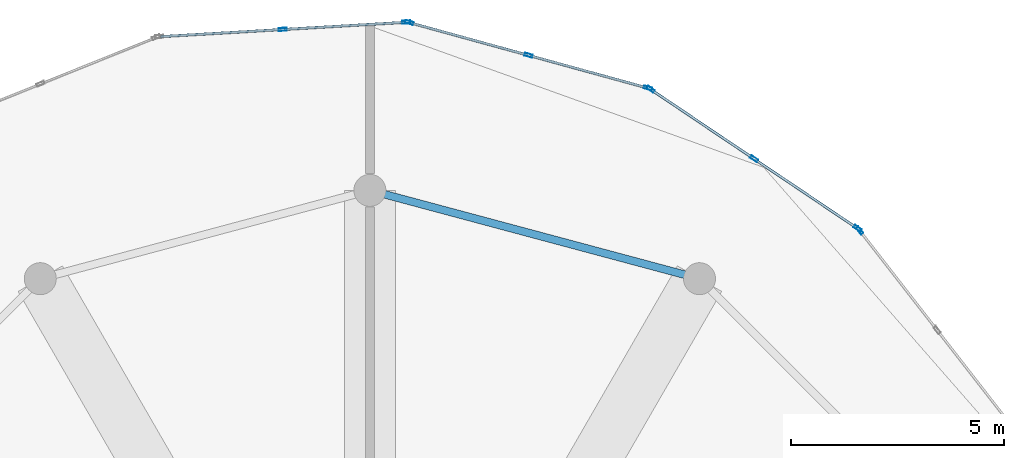
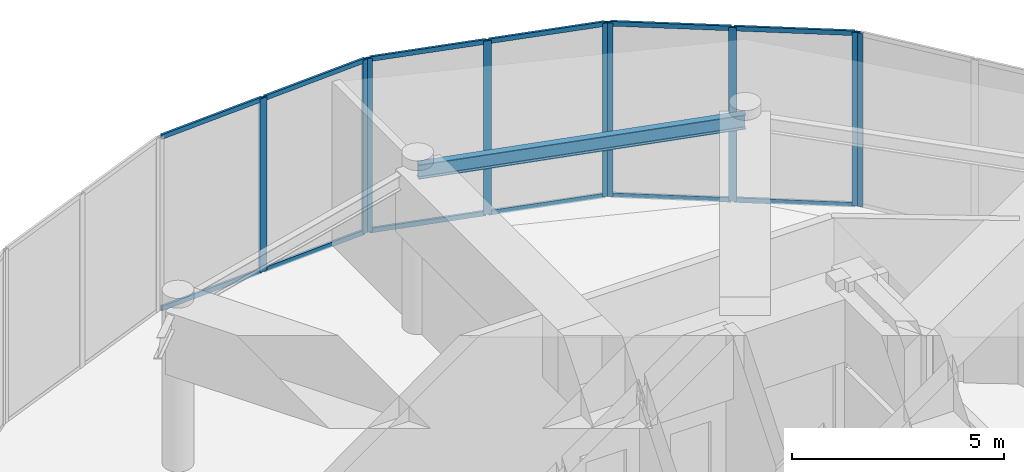
# One storey, part 15 of 20: 21 members, 1 beam, 4 elements without a shape of their own.
"""IFC4 building model written with IfcOpenShell, lengths in metres."""

from ifc_helpers import new_model, si_unit, direction, frame, origin, origin_2d, place, context, subcontext, project, spatial, hollow_rectangle, i_section, extrude, source, transform, mapped, material, layer, layer_set, material_profile, profile_set, type_object, element, aggregate, save


model = new_model("IFC4")

# Units and contexts
model_context = context("Model", 3, precision=1e-05, world=origin(), true_north=direction((0.0, 1.0)))
body_context = subcontext(model_context, "Body", "Model", "MODEL_VIEW")
ifc_project = project(units=[si_unit("LENGTHUNIT", "METRE"), si_unit("AREAUNIT", "SQUARE_METRE"), si_unit("VOLUMEUNIT", "CUBIC_METRE"), si_unit("PLANEANGLEUNIT", "RADIAN"), si_unit("MASSUNIT", "GRAM", prefix="KILO")], contexts=[model_context])

# Site, building, storey
site_placement = place(None, origin())
site = spatial("IfcSite", under=ifc_project, at=site_placement, CompositionType="ELEMENT")
building_placement = place(site_placement, origin())
building = spatial("IfcBuilding", under=site, at=building_placement, Name="Solvirekh Grand Hotel", CompositionType="ELEMENT")
storey_placement = place(building_placement, frame((0.0, 0.0, 297.199951171875)))
storey = spatial("IfcBuildingStorey", under=building, at=storey_placement, Name="L77", CompositionType="ELEMENT", Elevation=297.199951171875)

# Beam
ifc_material_1 = material(Name="Steel S355", Category="steel")
ifc_material_profile_1 = material_profile(ifc_material_1, i_section(OverallWidth=0.180908203125, OverallDepth=0.4169921875, WebThickness=0.010009765625, FlangeThickness=0.01611328125, FilletRadius=0.011962890625, at=origin_2d()), Name="W410X85")
ifc_profile_set_1 = profile_set([ifc_material_profile_1], Name="Steel S355")
beam_type = type_object("IfcBeamType", Name="Spandrel_Ring_W410", PredefinedType="SPANDREL", material=ifc_profile_set_1)
beam_placement = place(storey_placement, frame((7.72509765625, 13.3798828125, 4.470947265625), z_axis=(-0.965921616143, 0.258834757072, 0.0), x_axis=(-0.258834757072, -0.965921616143, 0.0)))
element("IfcBeam", 1, at=beam_placement, inside=storey, type_object=beam_type, Name="L77 perimeter spandrel beam 3", PredefinedType="SPANDREL", context=body_context, shape_type="SweptSolid", body=[
    extrude(i_section(OverallWidth=0.180908203125, OverallDepth=0.4169921875, WebThickness=0.010009765625, FlangeThickness=0.01611328125, FilletRadius=0.011962890625, at=origin_2d()), origin(), (0.0, 0.0, 1.0), 7.99755859375),
])

# Curtain wall, members
ifc_material_2 = material(Name="Anodized Bronze Aluminium 6063-T6", Category="aluminium")
ifc_layer = layer(ifc_material_2, 0.18994140625)
ifc_layer_set = layer_set([ifc_layer], Name="Anodized Bronze Aluminium 6063-T6")
curtain_wall_type = type_object("IfcCurtainWallType", Name="CW_Sys5_SkyLobbyPanoramaCW", PredefinedType="NOTDEFINED", material=ifc_layer_set)
curtain_wall_1_placement = place(storey_placement, origin())
curtain_wall_1 = element("IfcCurtainWall", 2, at=curtain_wall_1_placement, inside=storey, type_object=curtain_wall_type, Name="L77 unitised bronze-glass curtain wall CW-L77-C11", PredefinedType="NOTDEFINED")
ifc_material_profile_2 = material_profile(ifc_material_2, hollow_rectangle(XDim=0.06005859375, YDim=0.135009765625, WallThickness=0.00390625, at=origin_2d()), Name="ALU RHS 135X60X4")
ifc_profile_set_2 = profile_set([ifc_material_profile_2], Name="Anodized Bronze Aluminium 6063-T6")
member_type_1 = type_object("IfcMemberType", Name="CWTransom_Sys5", PredefinedType="USERDEFINED", material=ifc_profile_set_2)
shared_shape_1 = source(origin(), body_context, "Body", "SweptSolid", [
    extrude(hollow_rectangle(XDim=0.06005859375, YDim=0.135009765625, WallThickness=0.00390625, at=origin_2d()), origin(), (0.0, 0.0, 1.0), 2.8310546875),
])
member_1_placement = place(storey_placement, frame((0.818115234375, 19.388916015625, 0.030029296875), z_axis=(-0.998294239729, -0.058383310323, 0.0), x_axis=(0.058383310323, -0.998294239729, 0.0)))
member_1 = element("IfcMember", 3, at=member_1_placement, type_object=member_type_1, Name="U05 transom 1.1", ObjectType="TRANSOM", PredefinedType="USERDEFINED", context=body_context, shape_type="MappedRepresentation", body=[
    mapped(shared_shape_1, transform((0.0, 0.0, 0.0), x_axis=(1.0, 0.0, 0.0), y_axis=(0.0, 1.0, 0.0), z_axis=(0.0, 0.0, 1.0), scale=1.0)),
])
member_2_placement = place(storey_placement, frame((0.818115234375, 19.388916015625, 4.969970703125), z_axis=(-0.998294239729, -0.058383310323, 0.0), x_axis=(0.058383310323, -0.998294239729, 0.0)))
member_2 = element("IfcMember", 4, at=member_2_placement, type_object=member_type_1, Name="U05 transom 1.2", ObjectType="TRANSOM", PredefinedType="USERDEFINED", context=body_context, shape_type="MappedRepresentation", body=[
    mapped(shared_shape_1, transform((0.0, 0.0, 0.0), x_axis=(1.0, 0.0, 0.0), y_axis=(0.0, 1.0, 0.0), z_axis=(0.0, 0.0, 1.0), scale=1.0)),
])
member_3_placement = place(storey_placement, frame((-2.077880859375, 19.219482421875, 0.030029296875), z_axis=(-0.998294239729, -0.058383310323, 0.0), x_axis=(0.058383310323, -0.998294239729, 0.0)))
member_3 = element("IfcMember", 5, at=member_3_placement, type_object=member_type_1, Name="U05 transom 2.1", ObjectType="TRANSOM", PredefinedType="USERDEFINED", context=body_context, shape_type="MappedRepresentation", body=[
    mapped(shared_shape_1, transform((0.0, 0.0, 0.0), x_axis=(1.0, 0.0, 0.0), y_axis=(0.0, 1.0, 0.0), z_axis=(0.0, 0.0, 1.0), scale=1.0)),
])
member_4_placement = place(storey_placement, frame((-2.077880859375, 19.219482421875, 4.969970703125), z_axis=(-0.998294239729, -0.058383310323, 0.0), x_axis=(0.058383310323, -0.998294239729, 0.0)))
member_4 = element("IfcMember", 6, at=member_4_placement, type_object=member_type_1, Name="U05 transom 2.2", ObjectType="TRANSOM", PredefinedType="USERDEFINED", context=body_context, shape_type="MappedRepresentation", body=[
    mapped(shared_shape_1, transform((0.0, 0.0, 0.0), x_axis=(1.0, 0.0, 0.0), y_axis=(0.0, 1.0, 0.0), z_axis=(0.0, 0.0, 1.0), scale=1.0)),
])

# Curtain wall, member
curtain_wall_2_placement = place(storey_placement, origin())
curtain_wall_2 = element("IfcCurtainWall", 7, at=curtain_wall_2_placement, inside=storey, type_object=curtain_wall_type, Name="L77 unitised bronze-glass curtain wall CW-L77-C08", PredefinedType="NOTDEFINED")
ifc_material_profile_3 = material_profile(ifc_material_2, hollow_rectangle(XDim=0.070068359375, YDim=0.18994140625, WallThickness=0.0048828125, at=origin_2d()), Name="ALU RHS 190X70X5")
ifc_profile_set_3 = profile_set([ifc_material_profile_3], Name="Anodized Bronze Aluminium 6063-T6")
member_type_2 = type_object("IfcMemberType", Name="CWMullion_Sys5", PredefinedType="MULLION", material=ifc_profile_set_3)
shared_shape_2 = source(origin(), body_context, "Body", "SweptSolid", [
    extrude(hollow_rectangle(XDim=0.070068359375, YDim=0.18994140625, WallThickness=0.0048828125, at=origin_2d()), origin(), (0.0, 0.0, 1.0), 5.0),
])
member_5_placement = place(storey_placement, frame((11.4814453125, 14.50927734375, 0.0), z_axis=(0.0, 0.0, 1.0), x_axis=(-0.789370212192, -0.613917476624, 0.0)))
member_5 = element("IfcMember", 8, at=member_5_placement, type_object=member_type_2, Name="U05 mullion 3", PredefinedType="MULLION", context=body_context, shape_type="MappedRepresentation", body=[
    mapped(shared_shape_2, transform((0.0, 0.0, 0.0), x_axis=(1.0, 0.0, 0.0), y_axis=(0.0, 1.0, 0.0), z_axis=(0.0, 0.0, 1.0), scale=1.0)),
])
aggregate(curtain_wall_2, [member_5])

# Curtain wall, members
curtain_wall_3_placement = place(storey_placement, origin())
curtain_wall_3 = element("IfcCurtainWall", 9, at=curtain_wall_3_placement, inside=storey, type_object=curtain_wall_type, Name="L77 unitised bronze-glass curtain wall CW-L77-C09", PredefinedType="NOTDEFINED")
member_6_placement = place(storey_placement, frame((11.430908203125, 14.556640625, 0.0), z_axis=(0.0, 0.0, 1.0), x_axis=(-0.558011639084, -0.829833122168, 0.0)))
member_6 = element("IfcMember", 10, at=member_6_placement, type_object=member_type_2, Name="U05 mullion 1", PredefinedType="MULLION", context=body_context, shape_type="MappedRepresentation", body=[
    mapped(shared_shape_2, transform((0.0, 0.0, 0.0), x_axis=(1.0, 0.0, 0.0), y_axis=(0.0, 1.0, 0.0), z_axis=(0.0, 0.0, 1.0), scale=1.0)),
])
member_7_placement = place(storey_placement, frame((9.005615234375, 16.1875, 0.0), z_axis=(0.0, 0.0, 1.0), x_axis=(-0.558011639084, -0.829833122168, 0.0)))
member_7 = element("IfcMember", 11, at=member_7_placement, type_object=member_type_2, Name="U05 mullion 2", PredefinedType="MULLION", context=body_context, shape_type="MappedRepresentation", body=[
    mapped(shared_shape_2, transform((0.0, 0.0, 0.0), x_axis=(1.0, 0.0, 0.0), y_axis=(0.0, 1.0, 0.0), z_axis=(0.0, 0.0, 1.0), scale=1.0)),
])
member_8_placement = place(storey_placement, frame((6.580078125, 17.818359375, 0.0), z_axis=(0.0, 0.0, 1.0), x_axis=(-0.558011639084, -0.829833122168, 0.0)))
member_8 = element("IfcMember", 12, at=member_8_placement, type_object=member_type_2, Name="U05 mullion 3", PredefinedType="MULLION", context=body_context, shape_type="MappedRepresentation", body=[
    mapped(shared_shape_2, transform((0.0, 0.0, 0.0), x_axis=(1.0, 0.0, 0.0), y_axis=(0.0, 1.0, 0.0), z_axis=(0.0, 0.0, 1.0), scale=1.0)),
])

curtain_wall_4_placement = place(storey_placement, origin())
curtain_wall_4 = element("IfcCurtainWall", 13, at=curtain_wall_4_placement, inside=storey, type_object=curtain_wall_type, Name="L77 unitised bronze-glass curtain wall CW-L77-C10", PredefinedType="NOTDEFINED")
member_9_placement = place(storey_placement, frame((6.517333984375, 17.84716796875, 0.0), z_axis=(0.0, 0.0, 1.0), x_axis=(-0.264788393532, -0.964306541848, 0.0)))
member_9 = element("IfcMember", 14, at=member_9_placement, type_object=member_type_2, Name="U05 mullion 1", PredefinedType="MULLION", context=body_context, shape_type="MappedRepresentation", body=[
    mapped(shared_shape_2, transform((0.0, 0.0, 0.0), x_axis=(1.0, 0.0, 0.0), y_axis=(0.0, 1.0, 0.0), z_axis=(0.0, 0.0, 1.0), scale=1.0)),
])
member_10_placement = place(storey_placement, frame((3.719482421875, 18.615478515625, 0.0), z_axis=(0.0, 0.0, 1.0), x_axis=(-0.264788393532, -0.964306541848, 0.0)))
member_10 = element("IfcMember", 15, at=member_10_placement, type_object=member_type_2, Name="U05 mullion 2", PredefinedType="MULLION", context=body_context, shape_type="MappedRepresentation", body=[
    mapped(shared_shape_2, transform((0.0, 0.0, 0.0), x_axis=(1.0, 0.0, 0.0), y_axis=(0.0, 1.0, 0.0), z_axis=(0.0, 0.0, 1.0), scale=1.0)),
])
member_11_placement = place(storey_placement, frame((0.921630859375, 19.3837890625, 0.0), z_axis=(0.0, 0.0, 1.0), x_axis=(-0.264788393532, -0.964306541848, 0.0)))
member_11 = element("IfcMember", 16, at=member_11_placement, type_object=member_type_2, Name="U05 mullion 3", PredefinedType="MULLION", context=body_context, shape_type="MappedRepresentation", body=[
    mapped(shared_shape_2, transform((0.0, 0.0, 0.0), x_axis=(1.0, 0.0, 0.0), y_axis=(0.0, 1.0, 0.0), z_axis=(0.0, 0.0, 1.0), scale=1.0)),
])

# Member
member_12_placement = place(storey_placement, frame((0.85302734375, 19.390869140625, 0.0), z_axis=(0.0, 0.0, 1.0), x_axis=(0.058412544796, -0.998292529578, 0.0)))
member_12 = element("IfcMember", 17, at=member_12_placement, type_object=member_type_2, Name="U05 mullion 1", PredefinedType="MULLION", context=body_context, shape_type="MappedRepresentation", body=[
    mapped(shared_shape_2, transform((0.0, 0.0, 0.0), x_axis=(1.0, 0.0, 0.0), y_axis=(0.0, 1.0, 0.0), z_axis=(0.0, 0.0, 1.0), scale=1.0)),
])

member_13_placement = place(storey_placement, frame((-2.04296875, 19.221435546875, 0.0), z_axis=(0.0, 0.0, 1.0), x_axis=(0.058412544796, -0.998292529578, 0.0)))
member_13 = element("IfcMember", 18, at=member_13_placement, type_object=member_type_2, Name="U05 mullion 2", PredefinedType="MULLION", context=body_context, shape_type="MappedRepresentation", body=[
    mapped(shared_shape_2, transform((0.0, 0.0, 0.0), x_axis=(1.0, 0.0, 0.0), y_axis=(0.0, 1.0, 0.0), z_axis=(0.0, 0.0, 1.0), scale=1.0)),
])

aggregate(curtain_wall_1, [member_12, member_13, member_1, member_2, member_3, member_4])

shared_shape_3 = source(origin(), body_context, "Body", "SweptSolid", [
    extrude(hollow_rectangle(XDim=0.06005859375, YDim=0.135009765625, WallThickness=0.00390625, at=origin_2d()), origin(), (0.0, 0.0, 1.0), 2.852783203125),
])
member_14_placement = place(storey_placement, frame((11.40185546875, 14.576171875, 0.030029296875), z_axis=(-0.829858283275, 0.557974219548, 0.0), x_axis=(-0.557974219548, -0.829858283275, 0.0)))
member_14 = element("IfcMember", 19, at=member_14_placement, type_object=member_type_1, Name="U05 transom 1.1", ObjectType="TRANSOM", PredefinedType="USERDEFINED", context=body_context, shape_type="MappedRepresentation", body=[
    mapped(shared_shape_3, transform((0.0, 0.0, 0.0), x_axis=(1.0, 0.0, 0.0), y_axis=(0.0, 1.0, 0.0), z_axis=(0.0, 0.0, 1.0), scale=1.0)),
])

member_15_placement = place(storey_placement, frame((11.40185546875, 14.576171875, 4.969970703125), z_axis=(-0.829858283275, 0.557974219548, 0.0), x_axis=(-0.557974219548, -0.829858283275, 0.0)))
member_15 = element("IfcMember", 20, at=member_15_placement, type_object=member_type_1, Name="U05 transom 1.2", ObjectType="TRANSOM", PredefinedType="USERDEFINED", context=body_context, shape_type="MappedRepresentation", body=[
    mapped(shared_shape_3, transform((0.0, 0.0, 0.0), x_axis=(1.0, 0.0, 0.0), y_axis=(0.0, 1.0, 0.0), z_axis=(0.0, 0.0, 1.0), scale=1.0)),
])

member_16_placement = place(storey_placement, frame((8.9765625, 16.20703125, 0.030029296875), z_axis=(-0.829858283275, 0.557974219548, 0.0), x_axis=(-0.557974219548, -0.829858283275, 0.0)))
member_16 = element("IfcMember", 21, at=member_16_placement, type_object=member_type_1, Name="U05 transom 2.1", ObjectType="TRANSOM", PredefinedType="USERDEFINED", context=body_context, shape_type="MappedRepresentation", body=[
    mapped(shared_shape_3, transform((0.0, 0.0, 0.0), x_axis=(1.0, 0.0, 0.0), y_axis=(0.0, 1.0, 0.0), z_axis=(0.0, 0.0, 1.0), scale=1.0)),
])

member_17_placement = place(storey_placement, frame((8.9765625, 16.20703125, 4.969970703125), z_axis=(-0.829858283275, 0.557974219548, 0.0), x_axis=(-0.557974219548, -0.829858283275, 0.0)))
member_17 = element("IfcMember", 22, at=member_17_placement, type_object=member_type_1, Name="U05 transom 2.2", ObjectType="TRANSOM", PredefinedType="USERDEFINED", context=body_context, shape_type="MappedRepresentation", body=[
    mapped(shared_shape_3, transform((0.0, 0.0, 0.0), x_axis=(1.0, 0.0, 0.0), y_axis=(0.0, 1.0, 0.0), z_axis=(0.0, 0.0, 1.0), scale=1.0)),
])

aggregate(curtain_wall_3, [member_6, member_7, member_8, member_14, member_15, member_16, member_17])

shared_shape_4 = source(origin(), body_context, "Body", "SweptSolid", [
    extrude(hollow_rectangle(XDim=0.06005859375, YDim=0.135009765625, WallThickness=0.00390625, at=origin_2d()), origin(), (0.0, 0.0, 1.0), 2.831298828125),
])
member_18_placement = place(storey_placement, frame((6.4833984375, 17.8564453125, 0.030029296875), z_axis=(-0.96430067857, 0.264809745497, 0.0), x_axis=(-0.264809745497, -0.96430067857, 0.0)))
member_18 = element("IfcMember", 23, at=member_18_placement, type_object=member_type_1, Name="U05 transom 1.1", ObjectType="TRANSOM", PredefinedType="USERDEFINED", context=body_context, shape_type="MappedRepresentation", body=[
    mapped(shared_shape_4, transform((0.0, 0.0, 0.0), x_axis=(1.0, 0.0, 0.0), y_axis=(0.0, 1.0, 0.0), z_axis=(0.0, 0.0, 1.0), scale=1.0)),
])

member_19_placement = place(storey_placement, frame((6.4833984375, 17.8564453125, 4.969970703125), z_axis=(-0.96430067857, 0.264809745497, 0.0), x_axis=(-0.264809745497, -0.96430067857, 0.0)))
member_19 = element("IfcMember", 24, at=member_19_placement, type_object=member_type_1, Name="U05 transom 1.2", ObjectType="TRANSOM", PredefinedType="USERDEFINED", context=body_context, shape_type="MappedRepresentation", body=[
    mapped(shared_shape_4, transform((0.0, 0.0, 0.0), x_axis=(1.0, 0.0, 0.0), y_axis=(0.0, 1.0, 0.0), z_axis=(0.0, 0.0, 1.0), scale=1.0)),
])

member_20_placement = place(storey_placement, frame((3.685791015625, 18.624755859375, 0.030029296875), z_axis=(-0.96430067857, 0.264809745497, 0.0), x_axis=(-0.264809745497, -0.96430067857, 0.0)))
member_20 = element("IfcMember", 25, at=member_20_placement, type_object=member_type_1, Name="U05 transom 2.1", ObjectType="TRANSOM", PredefinedType="USERDEFINED", context=body_context, shape_type="MappedRepresentation", body=[
    mapped(shared_shape_4, transform((0.0, 0.0, 0.0), x_axis=(1.0, 0.0, 0.0), y_axis=(0.0, 1.0, 0.0), z_axis=(0.0, 0.0, 1.0), scale=1.0)),
])

member_21_placement = place(storey_placement, frame((3.685791015625, 18.624755859375, 4.969970703125), z_axis=(-0.96430067857, 0.264809745497, 0.0), x_axis=(-0.264809745497, -0.96430067857, 0.0)))
member_21 = element("IfcMember", 26, at=member_21_placement, type_object=member_type_1, Name="U05 transom 2.2", ObjectType="TRANSOM", PredefinedType="USERDEFINED", context=body_context, shape_type="MappedRepresentation", body=[
    mapped(shared_shape_4, transform((0.0, 0.0, 0.0), x_axis=(1.0, 0.0, 0.0), y_axis=(0.0, 1.0, 0.0), z_axis=(0.0, 0.0, 1.0), scale=1.0)),
])

aggregate(curtain_wall_4, [member_9, member_10, member_11, member_18, member_19, member_20, member_21])

save(model, "model.ifc")
